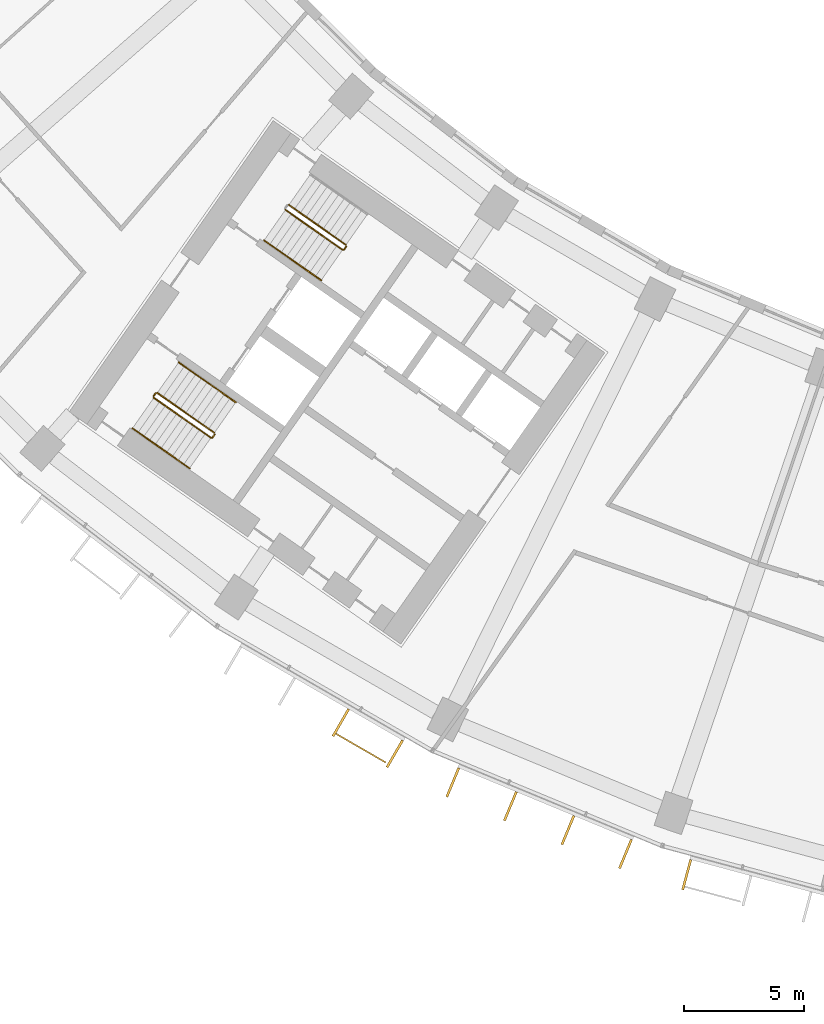
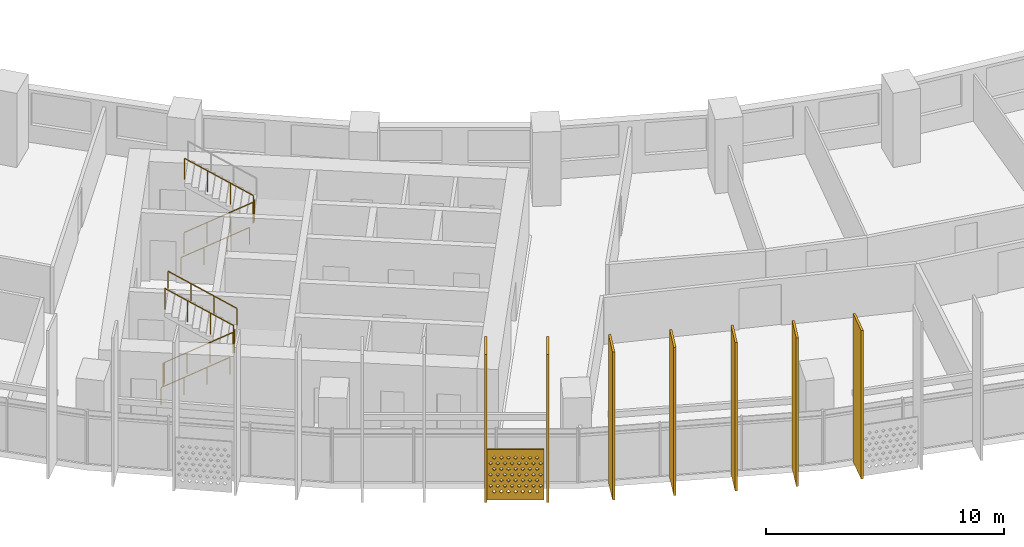
# One storey, part 23 of 29: 8 railings, 8 shading devices.
"""IFC4 building model written with IfcOpenShell, lengths in metres."""

from ifc_helpers import new_model, si_unit, direction, frame, origin, origin_2d, place, context, subcontext, project, spatial, polyline, rectangle, circle, outline, extrude, material, material_profile, profile_set, type_object, element, save


model = new_model("IFC4")

# Units and contexts
model_context = context("Model", 3, precision=1e-05, world=origin(), true_north=direction((0.0, 1.0)))
body_context = subcontext(model_context, "Body", "Model", "MODEL_VIEW")
ifc_project = project(units=[si_unit("LENGTHUNIT", "METRE"), si_unit("AREAUNIT", "SQUARE_METRE"), si_unit("VOLUMEUNIT", "CUBIC_METRE"), si_unit("PLANEANGLEUNIT", "RADIAN"), si_unit("MASSUNIT", "GRAM", prefix="KILO")], contexts=[model_context])

# Site, building, storey
site_placement = place(None, origin())
site = spatial("IfcSite", under=ifc_project, at=site_placement, CompositionType="ELEMENT")
building_placement = place(site_placement, origin())
building = spatial("IfcBuilding", under=site, at=building_placement, Name="Qamariyya Broadcast Tower", CompositionType="ELEMENT")
storey_placement = place(building_placement, frame((0.0, 0.0, 132.89990234375)))
storey = spatial("IfcBuildingStorey", under=building, at=storey_placement, Name="L30", CompositionType="ELEMENT", Elevation=132.89990234375)

# Shading device
ifc_material_1 = material(Name="Perforated glazed terracotta", Category="masonry")
ifc_material_profile_1 = material_profile(ifc_material_1, outline(polyline([(-1.199951171875, -1.300048828125), (1.199951171875, -1.300048828125), (1.199951171875, 1.300048828125), (-1.199951171875, 1.300048828125), (-1.199951171875, -1.300048828125)]), holes=[polyline([(-0.81494140625, -0.86669921875), (-0.89990234375, -0.78173828125), (-0.985107421875, -0.86669921875), (-0.89990234375, -0.95166015625), (-0.81494140625, -0.86669921875)]), polyline([(-0.514892578125, -0.86669921875), (-0.60009765625, -0.78173828125), (-0.68505859375, -0.86669921875), (-0.60009765625, -0.95166015625), (-0.514892578125, -0.86669921875)]), polyline([(-0.215087890625, -0.86669921875), (-0.300048828125, -0.78173828125), (-0.385009765625, -0.86669921875), (-0.300048828125, -0.95166015625), (-0.215087890625, -0.86669921875)]), polyline([(0.0849609375, -0.86669921875), (0.0, -0.78173828125), (-0.0849609375, -0.86669921875), (0.0, -0.95166015625), (0.0849609375, -0.86669921875)]), polyline([(0.385009765625, -0.86669921875), (0.300048828125, -0.78173828125), (0.215087890625, -0.86669921875), (0.300048828125, -0.95166015625), (0.385009765625, -0.86669921875)]), polyline([(0.68505859375, -0.86669921875), (0.60009765625, -0.78173828125), (0.514892578125, -0.86669921875), (0.60009765625, -0.95166015625), (0.68505859375, -0.86669921875)]), polyline([(0.985107421875, -0.86669921875), (0.89990234375, -0.78173828125), (0.81494140625, -0.86669921875), (0.89990234375, -0.95166015625), (0.985107421875, -0.86669921875)]), polyline([(-0.965087890625, -0.577880859375), (-1.050048828125, -0.49267578125), (-1.135009765625, -0.577880859375), (-1.050048828125, -0.662841796875), (-0.965087890625, -0.577880859375)]), polyline([(-0.6650390625, -0.577880859375), (-0.75, -0.49267578125), (-0.8349609375, -0.577880859375), (-0.75, -0.662841796875), (-0.6650390625, -0.577880859375)]), polyline([(-0.364990234375, -0.577880859375), (-0.449951171875, -0.49267578125), (-0.534912109375, -0.577880859375), (-0.449951171875, -0.662841796875), (-0.364990234375, -0.577880859375)]), polyline([(-0.06494140625, -0.577880859375), (-0.14990234375, -0.49267578125), (-0.235107421875, -0.577880859375), (-0.14990234375, -0.662841796875), (-0.06494140625, -0.577880859375)]), polyline([(0.235107421875, -0.577880859375), (0.14990234375, -0.49267578125), (0.06494140625, -0.577880859375), (0.14990234375, -0.662841796875), (0.235107421875, -0.577880859375)]), polyline([(0.534912109375, -0.577880859375), (0.449951171875, -0.49267578125), (0.364990234375, -0.577880859375), (0.449951171875, -0.662841796875), (0.534912109375, -0.577880859375)]), polyline([(0.8349609375, -0.577880859375), (0.75, -0.49267578125), (0.6650390625, -0.577880859375), (0.75, -0.662841796875), (0.8349609375, -0.577880859375)]), polyline([(1.135009765625, -0.577880859375), (1.050048828125, -0.49267578125), (0.965087890625, -0.577880859375), (1.050048828125, -0.662841796875), (1.135009765625, -0.577880859375)]), polyline([(-0.81494140625, -0.288818359375), (-0.89990234375, -0.203857421875), (-0.985107421875, -0.288818359375), (-0.89990234375, -0.373779296875), (-0.81494140625, -0.288818359375)]), polyline([(-0.514892578125, -0.288818359375), (-0.60009765625, -0.203857421875), (-0.68505859375, -0.288818359375), (-0.60009765625, -0.373779296875), (-0.514892578125, -0.288818359375)]), polyline([(-0.215087890625, -0.288818359375), (-0.300048828125, -0.203857421875), (-0.385009765625, -0.288818359375), (-0.300048828125, -0.373779296875), (-0.215087890625, -0.288818359375)]), polyline([(0.0849609375, -0.288818359375), (0.0, -0.203857421875), (-0.0849609375, -0.288818359375), (0.0, -0.373779296875), (0.0849609375, -0.288818359375)]), polyline([(0.385009765625, -0.288818359375), (0.300048828125, -0.203857421875), (0.215087890625, -0.288818359375), (0.300048828125, -0.373779296875), (0.385009765625, -0.288818359375)]), polyline([(0.68505859375, -0.288818359375), (0.60009765625, -0.203857421875), (0.514892578125, -0.288818359375), (0.60009765625, -0.373779296875), (0.68505859375, -0.288818359375)]), polyline([(0.985107421875, -0.288818359375), (0.89990234375, -0.203857421875), (0.81494140625, -0.288818359375), (0.89990234375, -0.373779296875), (0.985107421875, -0.288818359375)]), polyline([(-0.965087890625, 0.0), (-1.050048828125, 0.0849609375), (-1.135009765625, 0.0), (-1.050048828125, -0.0849609375), (-0.965087890625, 0.0)]), polyline([(-0.6650390625, 0.0), (-0.75, 0.0849609375), (-0.8349609375, 0.0), (-0.75, -0.0849609375), (-0.6650390625, 0.0)]), polyline([(-0.364990234375, 0.0), (-0.449951171875, 0.0849609375), (-0.534912109375, 0.0), (-0.449951171875, -0.0849609375), (-0.364990234375, 0.0)]), polyline([(-0.06494140625, 0.0), (-0.14990234375, 0.0849609375), (-0.235107421875, 0.0), (-0.14990234375, -0.0849609375), (-0.06494140625, 0.0)]), polyline([(0.235107421875, 0.0), (0.14990234375, 0.0849609375), (0.06494140625, 0.0), (0.14990234375, -0.0849609375), (0.235107421875, 0.0)]), polyline([(0.534912109375, 0.0), (0.449951171875, 0.0849609375), (0.364990234375, 0.0), (0.449951171875, -0.0849609375), (0.534912109375, 0.0)]), polyline([(0.8349609375, 0.0), (0.75, 0.0849609375), (0.6650390625, 0.0), (0.75, -0.0849609375), (0.8349609375, 0.0)]), polyline([(1.135009765625, 0.0), (1.050048828125, 0.0849609375), (0.965087890625, 0.0), (1.050048828125, -0.0849609375), (1.135009765625, 0.0)]), polyline([(-0.81494140625, 0.288818359375), (-0.89990234375, 0.373779296875), (-0.985107421875, 0.288818359375), (-0.89990234375, 0.203857421875), (-0.81494140625, 0.288818359375)]), polyline([(-0.514892578125, 0.288818359375), (-0.60009765625, 0.373779296875), (-0.68505859375, 0.288818359375), (-0.60009765625, 0.203857421875), (-0.514892578125, 0.288818359375)]), polyline([(-0.215087890625, 0.288818359375), (-0.300048828125, 0.373779296875), (-0.385009765625, 0.288818359375), (-0.300048828125, 0.203857421875), (-0.215087890625, 0.288818359375)]), polyline([(0.0849609375, 0.288818359375), (0.0, 0.373779296875), (-0.0849609375, 0.288818359375), (0.0, 0.203857421875), (0.0849609375, 0.288818359375)]), polyline([(0.385009765625, 0.288818359375), (0.300048828125, 0.373779296875), (0.215087890625, 0.288818359375), (0.300048828125, 0.203857421875), (0.385009765625, 0.288818359375)]), polyline([(0.68505859375, 0.288818359375), (0.60009765625, 0.373779296875), (0.514892578125, 0.288818359375), (0.60009765625, 0.203857421875), (0.68505859375, 0.288818359375)]), polyline([(0.985107421875, 0.288818359375), (0.89990234375, 0.373779296875), (0.81494140625, 0.288818359375), (0.89990234375, 0.203857421875), (0.985107421875, 0.288818359375)]), polyline([(-0.965087890625, 0.577880859375), (-1.050048828125, 0.662841796875), (-1.135009765625, 0.577880859375), (-1.050048828125, 0.49267578125), (-0.965087890625, 0.577880859375)]), polyline([(-0.6650390625, 0.577880859375), (-0.75, 0.662841796875), (-0.8349609375, 0.577880859375), (-0.75, 0.49267578125), (-0.6650390625, 0.577880859375)]), polyline([(-0.364990234375, 0.577880859375), (-0.449951171875, 0.662841796875), (-0.534912109375, 0.577880859375), (-0.449951171875, 0.49267578125), (-0.364990234375, 0.577880859375)]), polyline([(-0.06494140625, 0.577880859375), (-0.14990234375, 0.662841796875), (-0.235107421875, 0.577880859375), (-0.14990234375, 0.49267578125), (-0.06494140625, 0.577880859375)]), polyline([(0.235107421875, 0.577880859375), (0.14990234375, 0.662841796875), (0.06494140625, 0.577880859375), (0.14990234375, 0.49267578125), (0.235107421875, 0.577880859375)]), polyline([(0.534912109375, 0.577880859375), (0.449951171875, 0.662841796875), (0.364990234375, 0.577880859375), (0.449951171875, 0.49267578125), (0.534912109375, 0.577880859375)]), polyline([(0.8349609375, 0.577880859375), (0.75, 0.662841796875), (0.6650390625, 0.577880859375), (0.75, 0.49267578125), (0.8349609375, 0.577880859375)]), polyline([(1.135009765625, 0.577880859375), (1.050048828125, 0.662841796875), (0.965087890625, 0.577880859375), (1.050048828125, 0.49267578125), (1.135009765625, 0.577880859375)]), polyline([(-0.81494140625, 0.86669921875), (-0.89990234375, 0.95166015625), (-0.985107421875, 0.86669921875), (-0.89990234375, 0.78173828125), (-0.81494140625, 0.86669921875)]), polyline([(-0.514892578125, 0.86669921875), (-0.60009765625, 0.95166015625), (-0.68505859375, 0.86669921875), (-0.60009765625, 0.78173828125), (-0.514892578125, 0.86669921875)]), polyline([(-0.215087890625, 0.86669921875), (-0.300048828125, 0.95166015625), (-0.385009765625, 0.86669921875), (-0.300048828125, 0.78173828125), (-0.215087890625, 0.86669921875)]), polyline([(0.0849609375, 0.86669921875), (0.0, 0.95166015625), (-0.0849609375, 0.86669921875), (0.0, 0.78173828125), (0.0849609375, 0.86669921875)]), polyline([(0.385009765625, 0.86669921875), (0.300048828125, 0.95166015625), (0.215087890625, 0.86669921875), (0.300048828125, 0.78173828125), (0.385009765625, 0.86669921875)]), polyline([(0.68505859375, 0.86669921875), (0.60009765625, 0.95166015625), (0.514892578125, 0.86669921875), (0.60009765625, 0.78173828125), (0.68505859375, 0.86669921875)]), polyline([(0.985107421875, 0.86669921875), (0.89990234375, 0.95166015625), (0.81494140625, 0.86669921875), (0.89990234375, 0.78173828125), (0.985107421875, 0.86669921875)])]))
ifc_profile_set_1 = profile_set([ifc_material_profile_1], Name="Perforated glazed terracotta")
shading_device_type_1 = type_object("IfcShadingDeviceType", Name="Perforated terracotta screen 2400 x 2600", PredefinedType="USERDEFINED", material=ifc_profile_set_1)
shading_device_placement = place(storey_placement, frame((-37.99462890625, -70.90185546875, 1.35009765625), z_axis=(-0.500074377092, -0.865982457891, 0.0), x_axis=(0.865982457891, -0.500074377092, 0.0)))
element("IfcShadingDevice", 1, at=shading_device_placement, inside=storey, type_object=shading_device_type_1, Name="e-scr-L30-05-2", ObjectType="SCREEN", PredefinedType="USERDEFINED", context=body_context, shape_type="SweptSolid", body=[
    extrude(outline(polyline([(-1.199951171875, -1.300048828125), (1.199951171875, -1.300048828125), (1.199951171875, 1.300048828125), (-1.199951171875, 1.300048828125), (-1.199951171875, -1.300048828125)]), holes=[polyline([(-0.81494140625, -0.86669921875), (-0.89990234375, -0.78173828125), (-0.985107421875, -0.86669921875), (-0.89990234375, -0.95166015625), (-0.81494140625, -0.86669921875)]), polyline([(-0.514892578125, -0.86669921875), (-0.60009765625, -0.78173828125), (-0.68505859375, -0.86669921875), (-0.60009765625, -0.95166015625), (-0.514892578125, -0.86669921875)]), polyline([(-0.215087890625, -0.86669921875), (-0.300048828125, -0.78173828125), (-0.385009765625, -0.86669921875), (-0.300048828125, -0.95166015625), (-0.215087890625, -0.86669921875)]), polyline([(0.0849609375, -0.86669921875), (0.0, -0.78173828125), (-0.0849609375, -0.86669921875), (0.0, -0.95166015625), (0.0849609375, -0.86669921875)]), polyline([(0.385009765625, -0.86669921875), (0.300048828125, -0.78173828125), (0.215087890625, -0.86669921875), (0.300048828125, -0.95166015625), (0.385009765625, -0.86669921875)]), polyline([(0.68505859375, -0.86669921875), (0.60009765625, -0.78173828125), (0.514892578125, -0.86669921875), (0.60009765625, -0.95166015625), (0.68505859375, -0.86669921875)]), polyline([(0.985107421875, -0.86669921875), (0.89990234375, -0.78173828125), (0.81494140625, -0.86669921875), (0.89990234375, -0.95166015625), (0.985107421875, -0.86669921875)]), polyline([(-0.965087890625, -0.577880859375), (-1.050048828125, -0.49267578125), (-1.135009765625, -0.577880859375), (-1.050048828125, -0.662841796875), (-0.965087890625, -0.577880859375)]), polyline([(-0.6650390625, -0.577880859375), (-0.75, -0.49267578125), (-0.8349609375, -0.577880859375), (-0.75, -0.662841796875), (-0.6650390625, -0.577880859375)]), polyline([(-0.364990234375, -0.577880859375), (-0.449951171875, -0.49267578125), (-0.534912109375, -0.577880859375), (-0.449951171875, -0.662841796875), (-0.364990234375, -0.577880859375)]), polyline([(-0.06494140625, -0.577880859375), (-0.14990234375, -0.49267578125), (-0.235107421875, -0.577880859375), (-0.14990234375, -0.662841796875), (-0.06494140625, -0.577880859375)]), polyline([(0.235107421875, -0.577880859375), (0.14990234375, -0.49267578125), (0.06494140625, -0.577880859375), (0.14990234375, -0.662841796875), (0.235107421875, -0.577880859375)]), polyline([(0.534912109375, -0.577880859375), (0.449951171875, -0.49267578125), (0.364990234375, -0.577880859375), (0.449951171875, -0.662841796875), (0.534912109375, -0.577880859375)]), polyline([(0.8349609375, -0.577880859375), (0.75, -0.49267578125), (0.6650390625, -0.577880859375), (0.75, -0.662841796875), (0.8349609375, -0.577880859375)]), polyline([(1.135009765625, -0.577880859375), (1.050048828125, -0.49267578125), (0.965087890625, -0.577880859375), (1.050048828125, -0.662841796875), (1.135009765625, -0.577880859375)]), polyline([(-0.81494140625, -0.288818359375), (-0.89990234375, -0.203857421875), (-0.985107421875, -0.288818359375), (-0.89990234375, -0.373779296875), (-0.81494140625, -0.288818359375)]), polyline([(-0.514892578125, -0.288818359375), (-0.60009765625, -0.203857421875), (-0.68505859375, -0.288818359375), (-0.60009765625, -0.373779296875), (-0.514892578125, -0.288818359375)]), polyline([(-0.215087890625, -0.288818359375), (-0.300048828125, -0.203857421875), (-0.385009765625, -0.288818359375), (-0.300048828125, -0.373779296875), (-0.215087890625, -0.288818359375)]), polyline([(0.0849609375, -0.288818359375), (0.0, -0.203857421875), (-0.0849609375, -0.288818359375), (0.0, -0.373779296875), (0.0849609375, -0.288818359375)]), polyline([(0.385009765625, -0.288818359375), (0.300048828125, -0.203857421875), (0.215087890625, -0.288818359375), (0.300048828125, -0.373779296875), (0.385009765625, -0.288818359375)]), polyline([(0.68505859375, -0.288818359375), (0.60009765625, -0.203857421875), (0.514892578125, -0.288818359375), (0.60009765625, -0.373779296875), (0.68505859375, -0.288818359375)]), polyline([(0.985107421875, -0.288818359375), (0.89990234375, -0.203857421875), (0.81494140625, -0.288818359375), (0.89990234375, -0.373779296875), (0.985107421875, -0.288818359375)]), polyline([(-0.965087890625, 0.0), (-1.050048828125, 0.0849609375), (-1.135009765625, 0.0), (-1.050048828125, -0.0849609375), (-0.965087890625, 0.0)]), polyline([(-0.6650390625, 0.0), (-0.75, 0.0849609375), (-0.8349609375, 0.0), (-0.75, -0.0849609375), (-0.6650390625, 0.0)]), polyline([(-0.364990234375, 0.0), (-0.449951171875, 0.0849609375), (-0.534912109375, 0.0), (-0.449951171875, -0.0849609375), (-0.364990234375, 0.0)]), polyline([(-0.06494140625, 0.0), (-0.14990234375, 0.0849609375), (-0.235107421875, 0.0), (-0.14990234375, -0.0849609375), (-0.06494140625, 0.0)]), polyline([(0.235107421875, 0.0), (0.14990234375, 0.0849609375), (0.06494140625, 0.0), (0.14990234375, -0.0849609375), (0.235107421875, 0.0)]), polyline([(0.534912109375, 0.0), (0.449951171875, 0.0849609375), (0.364990234375, 0.0), (0.449951171875, -0.0849609375), (0.534912109375, 0.0)]), polyline([(0.8349609375, 0.0), (0.75, 0.0849609375), (0.6650390625, 0.0), (0.75, -0.0849609375), (0.8349609375, 0.0)]), polyline([(1.135009765625, 0.0), (1.050048828125, 0.0849609375), (0.965087890625, 0.0), (1.050048828125, -0.0849609375), (1.135009765625, 0.0)]), polyline([(-0.81494140625, 0.288818359375), (-0.89990234375, 0.373779296875), (-0.985107421875, 0.288818359375), (-0.89990234375, 0.203857421875), (-0.81494140625, 0.288818359375)]), polyline([(-0.514892578125, 0.288818359375), (-0.60009765625, 0.373779296875), (-0.68505859375, 0.288818359375), (-0.60009765625, 0.203857421875), (-0.514892578125, 0.288818359375)]), polyline([(-0.215087890625, 0.288818359375), (-0.300048828125, 0.373779296875), (-0.385009765625, 0.288818359375), (-0.300048828125, 0.203857421875), (-0.215087890625, 0.288818359375)]), polyline([(0.0849609375, 0.288818359375), (0.0, 0.373779296875), (-0.0849609375, 0.288818359375), (0.0, 0.203857421875), (0.0849609375, 0.288818359375)]), polyline([(0.385009765625, 0.288818359375), (0.300048828125, 0.373779296875), (0.215087890625, 0.288818359375), (0.300048828125, 0.203857421875), (0.385009765625, 0.288818359375)]), polyline([(0.68505859375, 0.288818359375), (0.60009765625, 0.373779296875), (0.514892578125, 0.288818359375), (0.60009765625, 0.203857421875), (0.68505859375, 0.288818359375)]), polyline([(0.985107421875, 0.288818359375), (0.89990234375, 0.373779296875), (0.81494140625, 0.288818359375), (0.89990234375, 0.203857421875), (0.985107421875, 0.288818359375)]), polyline([(-0.965087890625, 0.577880859375), (-1.050048828125, 0.662841796875), (-1.135009765625, 0.577880859375), (-1.050048828125, 0.49267578125), (-0.965087890625, 0.577880859375)]), polyline([(-0.6650390625, 0.577880859375), (-0.75, 0.662841796875), (-0.8349609375, 0.577880859375), (-0.75, 0.49267578125), (-0.6650390625, 0.577880859375)]), polyline([(-0.364990234375, 0.577880859375), (-0.449951171875, 0.662841796875), (-0.534912109375, 0.577880859375), (-0.449951171875, 0.49267578125), (-0.364990234375, 0.577880859375)]), polyline([(-0.06494140625, 0.577880859375), (-0.14990234375, 0.662841796875), (-0.235107421875, 0.577880859375), (-0.14990234375, 0.49267578125), (-0.06494140625, 0.577880859375)]), polyline([(0.235107421875, 0.577880859375), (0.14990234375, 0.662841796875), (0.06494140625, 0.577880859375), (0.14990234375, 0.49267578125), (0.235107421875, 0.577880859375)]), polyline([(0.534912109375, 0.577880859375), (0.449951171875, 0.662841796875), (0.364990234375, 0.577880859375), (0.449951171875, 0.49267578125), (0.534912109375, 0.577880859375)]), polyline([(0.8349609375, 0.577880859375), (0.75, 0.662841796875), (0.6650390625, 0.577880859375), (0.75, 0.49267578125), (0.8349609375, 0.577880859375)]), polyline([(1.135009765625, 0.577880859375), (1.050048828125, 0.662841796875), (0.965087890625, 0.577880859375), (1.050048828125, 0.49267578125), (1.135009765625, 0.577880859375)]), polyline([(-0.81494140625, 0.86669921875), (-0.89990234375, 0.95166015625), (-0.985107421875, 0.86669921875), (-0.89990234375, 0.78173828125), (-0.81494140625, 0.86669921875)]), polyline([(-0.514892578125, 0.86669921875), (-0.60009765625, 0.95166015625), (-0.68505859375, 0.86669921875), (-0.60009765625, 0.78173828125), (-0.514892578125, 0.86669921875)]), polyline([(-0.215087890625, 0.86669921875), (-0.300048828125, 0.95166015625), (-0.385009765625, 0.86669921875), (-0.300048828125, 0.78173828125), (-0.215087890625, 0.86669921875)]), polyline([(0.0849609375, 0.86669921875), (0.0, 0.95166015625), (-0.0849609375, 0.86669921875), (0.0, 0.78173828125), (0.0849609375, 0.86669921875)]), polyline([(0.385009765625, 0.86669921875), (0.300048828125, 0.95166015625), (0.215087890625, 0.86669921875), (0.300048828125, 0.78173828125), (0.385009765625, 0.86669921875)]), polyline([(0.68505859375, 0.86669921875), (0.60009765625, 0.95166015625), (0.514892578125, 0.86669921875), (0.60009765625, 0.78173828125), (0.68505859375, 0.86669921875)]), polyline([(0.985107421875, 0.86669921875), (0.89990234375, 0.95166015625), (0.81494140625, 0.86669921875), (0.89990234375, 0.78173828125), (0.985107421875, 0.86669921875)])]), origin(), (0.0, 0.0, 1.0), 0.06005859375),
])

# Railings
ifc_material_2 = material(Name="Painted steel", Category="steel")
railing_type_1 = type_object("IfcRailingType", Name="Stair guard", PredefinedType="GUARDRAIL", material=ifc_material_2)
railing_1_placement = place(storey_placement, frame((-41.146728515625, -48.52490234375, 0.1728515625)))
element("IfcRailing", 2, at=railing_1_placement, inside=storey, type_object=railing_type_1, Name="L30 ST-W2 stair guard 1", PredefinedType="GUARDRAIL", context=body_context, shape_type="SweptSolid", body=[
    extrude(circle(Radius=0.02392578125, at=origin_2d()), frame((0.0, 0.0, 1.076171875), z_axis=(0.703770094002, -0.492783725636, 0.511734163933), x_axis=(0.573575343427, 0.819152809562, 0.0)), (0.0, 0.0, 1.0), 3.37548828125),
    extrude(circle(Radius=0.02392578125, at=origin_2d()), frame((2.37548828125, -1.663330078125, 2.80322265625), z_axis=(0.985059694769, 0.172213233351, 0.0), x_axis=(-0.172213233351, 0.985059694769, 0.0)), (0.0, 0.0, 1.0), 0.07080078125),
    extrude(circle(Radius=0.02392578125, at=origin_2d()), frame((2.4453125, -1.651123046875, 2.80322265625), z_axis=(0.572588637393, 0.819842821722, 0.0), x_axis=(-0.819842821722, 0.572588637393, 0.0)), (0.0, 0.0, 1.0), 0.150146484375),
    extrude(circle(Radius=0.02099609375, at=origin_2d()), origin(), (0.0, 0.0, 1.0), 1.052001953125),
    extrude(circle(Radius=0.02099609375, at=origin_2d()), frame((0.791748046875, -0.554443359375, 0.57568359375)), (0.0, 0.0, 1.0), 1.052001953125),
    extrude(circle(Radius=0.02099609375, at=origin_2d()), frame((1.583740234375, -1.10888671875, 1.151611328125)), (0.0, 0.0, 1.0), 1.052001953125),
    extrude(circle(Radius=0.02099609375, at=origin_2d()), frame((2.37548828125, -1.663330078125, 1.727294921875)), (0.0, 0.0, 1.0), 1.052001953125),
    extrude(circle(Radius=0.02099609375, at=origin_2d()), frame((2.4453125, -1.651123046875, 1.727294921875)), (0.0, 0.0, 1.0), 1.052001953125),
    extrude(circle(Radius=0.02099609375, at=origin_2d()), frame((2.53125, -1.528076171875, 1.727294921875)), (0.0, 0.0, 1.0), 1.052001953125),
])
railing_2_placement = place(storey_placement, frame((-38.627685546875, -49.9833984375, 2.07275390625)))
element("IfcRailing", 3, at=railing_2_placement, inside=storey, type_object=railing_type_1, Name="L30 ST-W2 stair guard 2", PredefinedType="GUARDRAIL", context=body_context, shape_type="SweptSolid", body=[
    extrude(circle(Radius=0.02392578125, at=origin_2d()), frame((0.0, 0.0, 1.076171875), z_axis=(-0.703770094002, 0.492783725636, 0.511734163933), x_axis=(-0.573575343427, -0.819152809562, 0.0)), (0.0, 0.0, 1.0), 3.37548828125),
    extrude(circle(Radius=0.02099609375, at=origin_2d()), origin(), (0.0, 0.0, 1.0), 1.052001953125),
    extrude(circle(Radius=0.02099609375, at=origin_2d()), frame((-0.791748046875, 0.554443359375, 0.57568359375)), (0.0, 0.0, 1.0), 1.052001953125),
    extrude(circle(Radius=0.02099609375, at=origin_2d()), frame((-1.583740234375, 1.10888671875, 1.151611328125)), (0.0, 0.0, 1.0), 1.052001953125),
    extrude(circle(Radius=0.02099609375, at=origin_2d()), frame((-2.37548828125, 1.663330078125, 1.727294921875)), (0.0, 0.0, 1.0), 1.052001953125),
])
railing_3_placement = place(storey_placement, frame((-46.624267578125, -56.34765625, 0.1728515625)))
element("IfcRailing", 4, at=railing_3_placement, inside=storey, type_object=railing_type_1, Name="L30 ST-W1 stair guard 1", PredefinedType="GUARDRAIL", context=body_context, shape_type="SweptSolid", body=[
    extrude(circle(Radius=0.02392578125, at=origin_2d()), frame((0.0, 0.0, 1.076171875), z_axis=(0.703745009021, -0.492838488332, 0.511715923826), x_axis=(0.573631830683, 0.819113253969, 0.0)), (0.0, 0.0, 1.0), 3.37548828125),
    extrude(circle(Radius=0.02392578125, at=origin_2d()), frame((2.37548828125, -1.66357421875, 2.80322265625), z_axis=(0.984363469884, 0.176149252506, 0.0), x_axis=(-0.176149252506, 0.984363469884, 0.0)), (0.0, 0.0, 1.0), 0.07080078125),
    extrude(circle(Radius=0.02392578125, at=origin_2d()), frame((2.445068359375, -1.651123046875, 2.80322265625), z_axis=(0.574444878118, 0.818543268254, 0.0), x_axis=(-0.818543268254, 0.574444878118, 0.0)), (0.0, 0.0, 1.0), 0.150146484375),
    extrude(circle(Radius=0.02099609375, at=origin_2d()), origin(), (0.0, 0.0, 1.0), 1.052001953125),
    extrude(circle(Radius=0.02099609375, at=origin_2d()), frame((0.791748046875, -0.554443359375, 0.57568359375)), (0.0, 0.0, 1.0), 1.052001953125),
    extrude(circle(Radius=0.02099609375, at=origin_2d()), frame((1.583740234375, -1.109130859375, 1.151611328125)), (0.0, 0.0, 1.0), 1.052001953125),
    extrude(circle(Radius=0.02099609375, at=origin_2d()), frame((2.37548828125, -1.66357421875, 1.727294921875)), (0.0, 0.0, 1.0), 1.052001953125),
    extrude(circle(Radius=0.02099609375, at=origin_2d()), frame((2.445068359375, -1.651123046875, 1.727294921875)), (0.0, 0.0, 1.0), 1.052001953125),
    extrude(circle(Radius=0.02099609375, at=origin_2d()), frame((2.53125, -1.5283203125, 1.727294921875)), (0.0, 0.0, 1.0), 1.052001953125),
])
railing_4_placement = place(storey_placement, frame((-44.10546875, -57.806396484375, 2.07275390625)))
element("IfcRailing", 5, at=railing_4_placement, inside=storey, type_object=railing_type_1, Name="L30 ST-W1 stair guard 2", PredefinedType="GUARDRAIL", context=body_context, shape_type="SweptSolid", body=[
    extrude(circle(Radius=0.02392578125, at=origin_2d()), frame((0.0, 0.0, 1.076171875), z_axis=(-0.703770094002, 0.492783725636, 0.511734163933), x_axis=(-0.573575343427, -0.819152809562, 0.0)), (0.0, 0.0, 1.0), 3.37548828125),
    extrude(circle(Radius=0.02099609375, at=origin_2d()), origin(), (0.0, 0.0, 1.0), 1.052001953125),
    extrude(circle(Radius=0.02099609375, at=origin_2d()), frame((-0.791748046875, 0.554443359375, 0.57568359375)), (0.0, 0.0, 1.0), 1.052001953125),
    extrude(circle(Radius=0.02099609375, at=origin_2d()), frame((-1.583740234375, 1.10888671875, 1.151611328125)), (0.0, 0.0, 1.0), 1.052001953125),
    extrude(circle(Radius=0.02099609375, at=origin_2d()), frame((-2.37548828125, 1.663330078125, 1.727294921875)), (0.0, 0.0, 1.0), 1.052001953125),
])
railing_5_placement = place(storey_placement, frame((-46.63671875, -56.278076171875, 0.0)))
element("IfcRailing", 6, at=railing_5_placement, inside=storey, type_object=railing_type_1, Name="L30 ST-W1 stair guard 3", PredefinedType="GUARDRAIL", context=body_context, shape_type="SweptSolid", body=[
    extrude(circle(Radius=0.02392578125, at=origin_2d()), frame((0.0, 0.0, 1.076171875), z_axis=(0.574444878118, 0.818543268254, 0.0), x_axis=(-0.818543268254, 0.574444878118, 0.0)), (0.0, 0.0, 1.0), 0.150146484375),
    extrude(circle(Radius=0.02099609375, at=origin_2d()), origin(), (0.0, 0.0, 1.0), 1.052001953125),
    extrude(circle(Radius=0.02099609375, at=origin_2d()), frame((0.086181640625, 0.122802734375, 0.0)), (0.0, 0.0, 1.0), 1.052001953125),
])
ifc_material_3 = material(Name="Stainless steel", Category="steel")
railing_type_2 = type_object("IfcRailingType", Name="Stair handrail", PredefinedType="HANDRAIL", material=ifc_material_3)
railing_6_placement = place(storey_placement, frame((-42.03564453125, -49.79443359375, 0.1728515625)))
element("IfcRailing", 7, at=railing_6_placement, inside=storey, type_object=railing_type_2, Name="L30 ST-W2 stair handrail 1", PredefinedType="HANDRAIL", context=body_context, shape_type="SweptSolid", body=[
    extrude(circle(Radius=0.02392578125, at=origin_2d()), frame((0.0, 0.0, 0.8759765625), z_axis=(0.703745009021, -0.492838488332, 0.511715923826), x_axis=(0.573631830683, 0.819113253969, 0.0)), (0.0, 0.0, 1.0), 3.37548828125),
    extrude(circle(Radius=0.02099609375, at=origin_2d()), origin(), (0.0, 0.0, 1.0), 0.851806640625),
    extrude(circle(Radius=0.02099609375, at=origin_2d()), frame((0.791748046875, -0.554443359375, 0.57568359375)), (0.0, 0.0, 1.0), 0.851806640625),
    extrude(circle(Radius=0.02099609375, at=origin_2d()), frame((1.583740234375, -1.109130859375, 1.151611328125)), (0.0, 0.0, 1.0), 0.851806640625),
    extrude(circle(Radius=0.02099609375, at=origin_2d()), frame((2.37548828125, -1.66357421875, 1.727294921875)), (0.0, 0.0, 1.0), 0.851806640625),
])
railing_7_placement = place(storey_placement, frame((-47.513427734375, -57.617431640625, 0.1728515625)))
element("IfcRailing", 8, at=railing_7_placement, inside=storey, type_object=railing_type_2, Name="L30 ST-W1 stair handrail 1", PredefinedType="HANDRAIL", context=body_context, shape_type="SweptSolid", body=[
    extrude(circle(Radius=0.02392578125, at=origin_2d()), frame((0.0, 0.0, 0.8759765625), z_axis=(0.703770094002, -0.492783725636, 0.511734163933), x_axis=(0.573575343427, 0.819152809562, 0.0)), (0.0, 0.0, 1.0), 3.37548828125),
    extrude(circle(Radius=0.02099609375, at=origin_2d()), origin(), (0.0, 0.0, 1.0), 0.851806640625),
    extrude(circle(Radius=0.02099609375, at=origin_2d()), frame((0.791748046875, -0.554443359375, 0.57568359375)), (0.0, 0.0, 1.0), 0.851806640625),
    extrude(circle(Radius=0.02099609375, at=origin_2d()), frame((1.583740234375, -1.10888671875, 1.151611328125)), (0.0, 0.0, 1.0), 0.851806640625),
    extrude(circle(Radius=0.02099609375, at=origin_2d()), frame((2.37548828125, -1.663330078125, 1.727294921875)), (0.0, 0.0, 1.0), 0.851806640625),
])
railing_8_placement = place(storey_placement, frame((-43.21630859375, -56.53662109375, 2.07275390625)))
element("IfcRailing", 9, at=railing_8_placement, inside=storey, type_object=railing_type_2, Name="L30 ST-W1 stair handrail 2", PredefinedType="HANDRAIL", context=body_context, shape_type="SweptSolid", body=[
    extrude(circle(Radius=0.02392578125, at=origin_2d()), frame((0.0, 0.0, 0.8759765625), z_axis=(-0.703770094002, 0.492783725636, 0.511734163933), x_axis=(-0.573575343427, -0.819152809562, 0.0)), (0.0, 0.0, 1.0), 3.37548828125),
    extrude(circle(Radius=0.02099609375, at=origin_2d()), origin(), (0.0, 0.0, 1.0), 0.851806640625),
    extrude(circle(Radius=0.02099609375, at=origin_2d()), frame((-0.791748046875, 0.554443359375, 0.57568359375)), (0.0, 0.0, 1.0), 0.851806640625),
    extrude(circle(Radius=0.02099609375, at=origin_2d()), frame((-1.583740234375, 1.10888671875, 1.151611328125)), (0.0, 0.0, 1.0), 0.851806640625),
    extrude(circle(Radius=0.02099609375, at=origin_2d()), frame((-2.37548828125, 1.663330078125, 1.727294921875)), (0.0, 0.0, 1.0), 0.851806640625),
])

# Shading devices
ifc_material_4 = material(Name="Glazed terracotta", Category="masonry")
ifc_material_profile_2 = material_profile(ifc_material_4, rectangle(XDim=1.300048828125, YDim=0.10009765625, at=origin_2d()))
ifc_profile_set_2 = profile_set([ifc_material_profile_2], Name="Glazed terracotta")
shading_device_type_2 = type_object("IfcShadingDeviceType", Name="Terracotta fin 100 x 1300", PredefinedType="USERDEFINED", material=ifc_profile_set_2)
for number, where, z_axis, x_axis, name in (
    (10, (-38.84228515625, -69.869873046875, 0.0), (0.0, 0.0, 1.0), (-0.5, -0.866025403784, 0.0), "e-fin-L30-05-2"),
    (11, (-36.596435546875, -71.16650390625, 0.0), (0.0, 0.0, 1.0), (-0.5, -0.866025403784, 0.0), "e-fin-L30-05-3"),
    (12, (-34.181640625, -72.357421875, 0.0), (0.0, 0.0, 1.0), (-0.382683432365, -0.923879532511, 0.0), "e-fin-L30-06-0"),
    (13, (-31.785888671875, -73.349609375, 0.0), (0.0, 0.0, 1.0), (-0.382683432365, -0.923879532511, 0.0), "e-fin-L30-06-1"),
    (14, (-29.39013671875, -74.342041015625, 0.0), (0.0, 0.0, 1.0), (-0.382683432365, -0.923879532511, 0.0), "e-fin-L30-06-2"),
    (15, (-26.994140625, -75.33447265625, 0.0), (0.0, 0.0, 1.0), (-0.382683432365, -0.923879532511, 0.0), "e-fin-L30-06-3"),
    (16, (-24.44482421875, -76.199951171875, 0.0), (0.0, 0.0, 1.0), (-0.258819045103, -0.965925826289, 0.0), "e-fin-L30-07-0"),
):
    element("IfcShadingDevice", number, at=place(storey_placement, frame(where, z_axis=z_axis, x_axis=x_axis)), inside=storey, type_object=shading_device_type_2, Name=name, ObjectType="FIN", PredefinedType="USERDEFINED", context=body_context, shape_type="SweptSolid", body=[
        extrude(rectangle(XDim=1.300048828125, YDim=0.10009765625, at=origin_2d()), origin(), (0.0, 0.0, 1.0), 7.60009765625),
    ])

save(model, "model.ifc")
